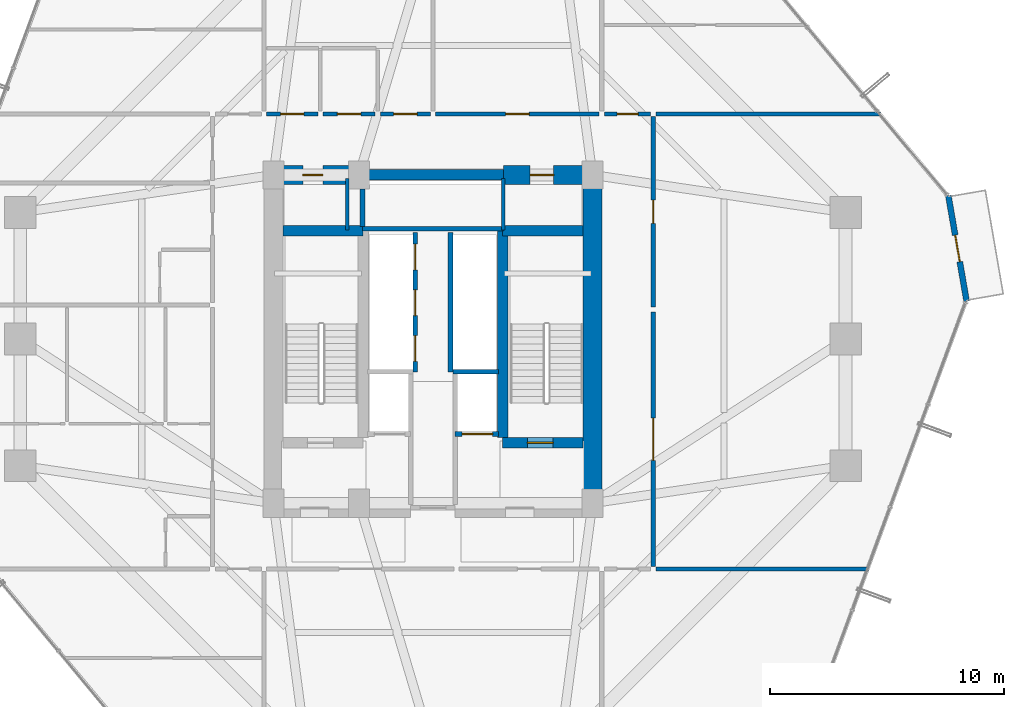
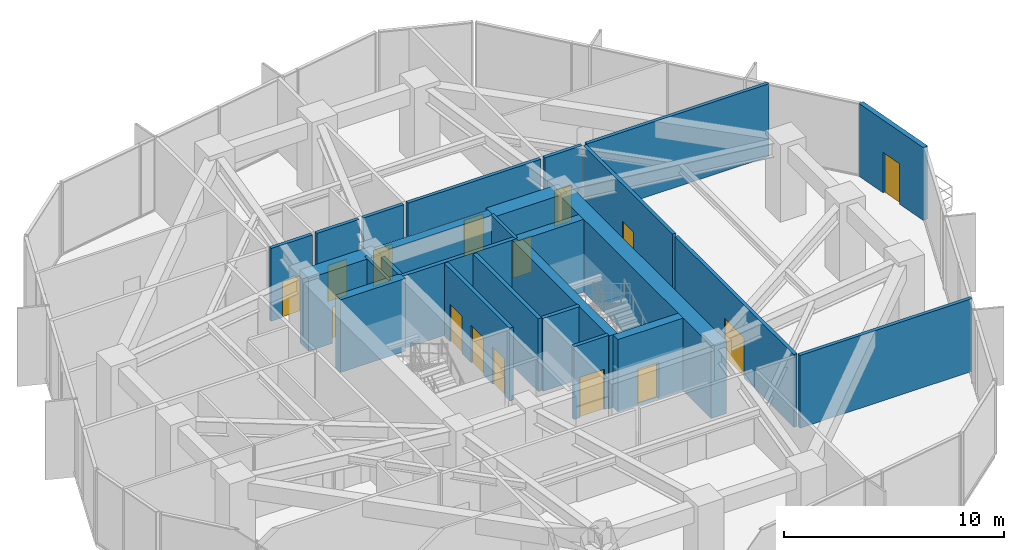
# One storey, part 32 of 35: 26 walls, 15 doors, 15 openings.
"""IFC4 building model written with IfcOpenShell, lengths in metres."""

from ifc_helpers import new_model, si_unit, direction, frame, frame_2d, origin, place, context, subcontext, project, spatial, rectangle, extrude, source, transform, mapped, material, layer, layer_set, type_object, element, fill, save


model = new_model("IFC4")

# Units and contexts
model_context = context("Model", 3, precision=1e-05, world=origin(), true_north=direction((0.0, 1.0)))
body_context = subcontext(model_context, "Body", "Model", "MODEL_VIEW")
ifc_project = project(units=[si_unit("LENGTHUNIT", "METRE"), si_unit("AREAUNIT", "SQUARE_METRE"), si_unit("VOLUMEUNIT", "CUBIC_METRE"), si_unit("PLANEANGLEUNIT", "RADIAN"), si_unit("MASSUNIT", "GRAM", prefix="KILO")], contexts=[model_context])

# Site, building, storey
site_placement = place(None, origin())
site = spatial("IfcSite", under=ifc_project, at=site_placement, CompositionType="ELEMENT")
building_placement = place(site_placement, origin())
building = spatial("IfcBuilding", under=site, at=building_placement, Name="Veraguas Prism Commons", CompositionType="ELEMENT")
storey_placement = place(building_placement, frame((0.0, 0.0, 56.550048828125)))
storey = spatial("IfcBuildingStorey", under=building, at=storey_placement, Name="L15", CompositionType="ELEMENT", Elevation=56.550048828125)

# Wall
ifc_material_1 = material(Name="Concrete C60/75", Category="concrete")
ifc_layer_1 = layer(ifc_material_1, 0.449951171875, Name="Core Internal Shear Wall Lower RC 450", Category="concrete")
ifc_layer_set_1 = layer_set([ifc_layer_1], Name="Concrete C60/75")
wall_type_1 = type_object("IfcWallType", Name="Core Internal Shear Wall Lower RC 450", PredefinedType="SHEAR", material=ifc_layer_set_1)
wall_1_placement = place(storey_placement, frame((21.0, 31.0, 0.0), z_axis=(0.0, 0.0, 1.0), x_axis=(1.0, 0.0, 0.0)))
element("IfcWall", 1, at=wall_1_placement, inside=storey, type_object=wall_type_1, Name="High-Rise Lift Bank Front Shear Wall L15", PredefinedType="SHEAR", context=body_context, shape_type="SweptSolid", body=[
    extrude(rectangle(XDim=6.0, YDim=0.449951171875, at=frame_2d((3.0, 0.0))), origin(), (0.0, 0.0, 1.0), 4.050048828125),
])

# Wall, opening, door
wall_2_placement = place(storey_placement, frame((26.97509765625, 19.574951171875, 0.0), z_axis=(0.0, 0.0, 1.0), x_axis=(1.0, 0.0, 0.0)))
wall_2 = element("IfcWall", 2, at=wall_2_placement, inside=storey, type_object=wall_type_1, Name="Stair ST-02 South Shear Wall L15", PredefinedType="SHEAR", context=body_context, shape_type="SweptSolid", body=[
    extrude(rectangle(XDim=3.4248046875, YDim=0.449951171875, at=frame_2d((1.71240234375, 0.0))), origin(), (0.0, 0.0, 1.0), 4.050048828125),
])
opening_1_placement = place(wall_2_placement, frame((1.050048828125, 0.0, 0.0)))
opening_1 = element("IfcOpeningElement", 3, at=opening_1_placement, cuts=wall_2, Name="Opening DR-05", PredefinedType="OPENING", context=body_context, shape_type="SweptSolid", body=[
    extrude(rectangle(XDim=1.10009765625, YDim=2.030029296875, at=frame_2d((0.550048828125, 1.01513671875))), frame((0.0, 0.23486328125, 0.0), z_axis=(0.0, -1.0, 0.0), x_axis=(1.0, 0.0, 0.0)), (0.0, 0.0, 1.0), 0.469970703125),
])
ifc_material_2 = material(Name="Steel fire-rated door assembly", Category="steel")
door_type_1 = type_object("IfcDoorType", Name="Protected Stair and Refuge Fire Door 1100x2030", OperationType="NOTDEFINED", PredefinedType="DOOR", material=ifc_material_2)
shared_shape_1 = source(origin(), body_context, "Body", "SweptSolid", [
    extrude(rectangle(XDim=1.10009765625, YDim=2.030029296875, at=frame_2d((0.550048828125, 1.01513671875))), frame((0.0, 0.02490234375, 0.0), z_axis=(0.0, -1.0, 0.0), x_axis=(1.0, 0.0, 0.0)), (0.0, 0.0, 1.0), 0.050048828125),
])
door_1_placement = place(opening_1_placement, origin())
door_1 = element("IfcDoor", 4, at=door_1_placement, inside=storey, type_object=door_type_1, Name="Stair ST-02 Enclosure Door L15", OperationType="SINGLE_SWING_LEFT", OverallHeight=2.030029296875, OverallWidth=1.10009765625, PredefinedType="DOOR", context=body_context, shape_type="MappedRepresentation", body=[
    mapped(shared_shape_1, transform((0.0, 0.0, 0.0), scale=1.0)),
])
fill(opening_1, door_1)

# Walls
wall_3_placement = place(storey_placement, frame((26.97509765625, 19.800048828125, 0.0), z_axis=(0.0, 0.0, 1.0), x_axis=(0.0, 1.0, 0.0)))
element("IfcWall", 5, at=wall_3_placement, inside=storey, type_object=wall_type_1, Name="Stair ST-02 Inner Shear Wall L15", PredefinedType="SHEAR", context=body_context, shape_type="SweptSolid", body=[
    extrude(rectangle(XDim=8.824951171875, YDim=0.449951171875, at=frame_2d((4.41259765625, 0.0))), origin(), (0.0, 0.0, 1.0), 4.050048828125),
])
for number, where, z_axis, x_axis, name in (
    (6, (17.60009765625, 28.625, 0.0), (0.0, 0.0, 1.0), (1.0, 0.0, 0.0), "Stair ST-01 North Shear Wall L15"),
    (7, (26.97509765625, 28.625, 0.0), (0.0, 0.0, 1.0), (1.0, 0.0, 0.0), "Stair ST-02 North Shear Wall L15"),
):
    element("IfcWall", number, at=place(storey_placement, frame(where, z_axis=z_axis, x_axis=x_axis)), inside=storey, type_object=wall_type_1, Name=name, PredefinedType="SHEAR", context=body_context, shape_type="SweptSolid", body=[
        extrude(rectangle(XDim=3.4248046875, YDim=0.449951171875, at=frame_2d((1.71240234375, 0.0))), origin(), (0.0, 0.0, 1.0), 4.050048828125),
    ])
ifc_layer_2 = layer(ifc_material_1, 0.800048828125, Name="Core Outer Shear Wall Lower RC 800", Category="concrete")
ifc_layer_set_2 = layer_set([ifc_layer_2], Name="Concrete C60/75")
wall_type_2 = type_object("IfcWallType", Name="Core Outer Shear Wall Lower RC 800", PredefinedType="SHEAR", material=ifc_layer_set_2)
wall_4_placement = place(storey_placement, frame((30.800048828125, 16.800048828125, 0.0), z_axis=(0.0, 0.0, 1.0), x_axis=(0.0, 1.0, 0.0)))
element("IfcWall", 8, at=wall_4_placement, inside=storey, type_object=wall_type_2, Name="Central Core East Shear Wall L15", PredefinedType="SHEAR", context=body_context, shape_type="SweptSolid", body=[
    extrude(rectangle(XDim=14.199951171875, YDim=0.800048828125, at=frame_2d((7.10009765625, 0.0))), origin(), (0.0, 0.0, 1.0), 4.050048828125),
])

# Wall, opening, door
wall_5_placement = place(storey_placement, frame((17.199951171875, 31.0, 0.0), z_axis=(0.0, 0.0, 1.0), x_axis=(1.0, 0.0, 0.0)))
wall_5 = element("IfcWall", 9, at=wall_5_placement, inside=storey, type_object=wall_type_2, Name="Central Core North-West Shear Wall L15", PredefinedType="SHEAR", context=body_context, shape_type="SweptSolid", body=[
    extrude(rectangle(XDim=3.800048828125, YDim=0.800048828125, at=frame_2d((1.89990234375, 0.0))), origin(), (0.0, 0.0, 1.0), 4.050048828125),
])
opening_2_placement = place(wall_5_placement, frame((1.25, 0.0, 0.0)))
opening_2 = element("IfcOpeningElement", 10, at=opening_2_placement, cuts=wall_5, Name="Opening DR-12", PredefinedType="OPENING", context=body_context, shape_type="SweptSolid", body=[
    extrude(rectangle(XDim=0.860107421875, YDim=2.010009765625, at=frame_2d((0.43017578125, 1.0048828125))), frame((0.0, 0.409912109375, 0.0), z_axis=(0.0, -1.0, 0.0), x_axis=(1.0, 0.0, 0.0)), (0.0, 0.0, 1.0), 0.820068359375),
])
door_type_2 = type_object("IfcDoorType", Name="Core WC Fire Door 860x2010", OperationType="NOTDEFINED", PredefinedType="DOOR", material=ifc_material_2)
shared_shape_2 = source(origin(), body_context, "Body", "SweptSolid", [
    extrude(rectangle(XDim=0.860107421875, YDim=2.010009765625, at=frame_2d((0.43017578125, 1.0048828125))), frame((0.0, 0.02490234375, 0.0), z_axis=(0.0, -1.0, 0.0), x_axis=(1.0, 0.0, 0.0)), (0.0, 0.0, 1.0), 0.050048828125),
])
door_2_placement = place(opening_2_placement, origin())
door_2 = element("IfcDoor", 11, at=door_2_placement, inside=storey, type_object=door_type_2, Name="Core NW Service Door L15", OperationType="SINGLE_SWING_RIGHT", OverallHeight=2.010009765625, OverallWidth=0.860107421875, PredefinedType="DOOR", context=body_context, shape_type="MappedRepresentation", body=[
    mapped(shared_shape_2, transform((0.0, 0.0, 0.0), scale=1.0)),
])
fill(opening_2, door_2)

wall_6_placement = place(storey_placement, frame((27.0, 31.0, 0.0), z_axis=(0.0, 0.0, 1.0), x_axis=(1.0, 0.0, 0.0)))
wall_6 = element("IfcWall", 12, at=wall_6_placement, inside=storey, type_object=wall_type_2, Name="Central Core North-East Shear Wall L15", PredefinedType="SHEAR", context=body_context, shape_type="SweptSolid", body=[
    extrude(rectangle(XDim=3.800048828125, YDim=0.800048828125, at=frame_2d((1.89990234375, 0.0))), origin(), (0.0, 0.0, 1.0), 4.050048828125),
])
opening_3_placement = place(wall_6_placement, frame((1.14990234375, 0.0, 0.0)))
opening_3 = element("IfcOpeningElement", 13, at=opening_3_placement, cuts=wall_6, Name="Opening DR-13", PredefinedType="OPENING", context=body_context, shape_type="SweptSolid", body=[
    extrude(rectangle(XDim=1.0, YDim=2.010009765625, at=frame_2d((0.5, 1.0048828125))), frame((0.0, 0.409912109375, 0.0), z_axis=(0.0, -1.0, 0.0), x_axis=(1.0, 0.0, 0.0)), (0.0, 0.0, 1.0), 0.820068359375),
])
door_type_3 = type_object("IfcDoorType", Name="Core Accessible WC and Clinic Fire Door 1000x2010", OperationType="NOTDEFINED", PredefinedType="DOOR", material=ifc_material_2)
shared_shape_3 = source(origin(), body_context, "Body", "SweptSolid", [
    extrude(rectangle(XDim=1.0, YDim=2.010009765625, at=frame_2d((0.5, 1.0048828125))), frame((0.0, 0.02490234375, 0.0), z_axis=(0.0, -1.0, 0.0), x_axis=(1.0, 0.0, 0.0)), (0.0, 0.0, 1.0), 0.050048828125),
])
door_3_placement = place(opening_3_placement, origin())
door_3 = element("IfcDoor", 14, at=door_3_placement, inside=storey, type_object=door_type_3, Name="Core NE Pantry Door L15", OperationType="SINGLE_SWING_LEFT", OverallHeight=2.010009765625, OverallWidth=1.0, PredefinedType="DOOR", context=body_context, shape_type="MappedRepresentation", body=[
    mapped(shared_shape_3, transform((0.0, 0.0, 0.0), scale=1.0)),
])
fill(opening_3, door_3)

ifc_material_3 = material(Name="Autoclaved aerated masonry block 10 MPa", Category="masonry")
ifc_layer_3 = layer(ifc_material_3, 0.179931640625, Name="Corridor and Inter-Tenancy Partition 180", Category="masonry")
ifc_layer_set_3 = layer_set([ifc_layer_3], Name="Autoclaved aerated masonry block 10 MPa")
wall_type_3 = type_object("IfcWallType", Name="Corridor and Inter-Tenancy Partition 180", PredefinedType="PARTITIONING", material=ifc_layer_set_3)
wall_7_placement = place(storey_placement, frame((16.909912109375, 33.60009765625, 0.0), z_axis=(0.0, 0.0, 1.0), x_axis=(1.0, 0.0, 0.0)))
wall_7 = element("IfcWall", 15, at=wall_7_placement, inside=storey, type_object=wall_type_3, Name="WL-L15-PT007", PredefinedType="PARTITIONING", context=body_context, shape_type="SweptSolid", body=[
    extrude(rectangle(XDim=2.18017578125, YDim=0.179931640625, at=frame_2d((1.090087890625, 0.0))), origin(), (0.0, 0.0, 1.0), 4.050048828125),
])
opening_4_placement = place(wall_7_placement, frame((0.590087890625, 0.0, 0.0)))
opening_4 = element("IfcOpeningElement", 16, at=opening_4_placement, cuts=wall_7, Name="Opening DR-13", PredefinedType="OPENING", context=body_context, shape_type="SweptSolid", body=[
    extrude(rectangle(XDim=1.0, YDim=2.010009765625, at=frame_2d((0.5, 1.0048828125))), frame((0.0, 0.099853515625, 0.0), z_axis=(0.0, -1.0, 0.0), x_axis=(1.0, 0.0, 0.0)), (0.0, 0.0, 1.0), 0.199951171875),
])
door_4_placement = place(opening_4_placement, origin())
door_4 = element("IfcDoor", 17, at=door_4_placement, inside=storey, type_object=door_type_3, Name="Public WC L15 Door", OperationType="SINGLE_SWING_RIGHT", OverallHeight=2.010009765625, OverallWidth=1.0, PredefinedType="DOOR", context=body_context, shape_type="MappedRepresentation", body=[
    mapped(shared_shape_3, transform((0.0, 0.0, 0.0), scale=1.0)),
])
fill(opening_4, door_4)

wall_8_placement = place(storey_placement, frame((19.31005859375, 33.60009765625, 0.0), z_axis=(0.0, 0.0, 1.0), x_axis=(1.0, 0.0, 0.0)))
wall_8 = element("IfcWall", 18, at=wall_8_placement, inside=storey, type_object=wall_type_3, Name="WL-L15-PT008", PredefinedType="PARTITIONING", context=body_context, shape_type="SweptSolid", body=[
    extrude(rectangle(XDim=2.22998046875, YDim=0.179931640625, at=frame_2d((1.114990234375, 0.0))), origin(), (0.0, 0.0, 1.0), 4.050048828125),
])
opening_5_placement = place(wall_8_placement, frame((0.614990234375, 0.0, 0.0)))
opening_5 = element("IfcOpeningElement", 19, at=opening_5_placement, cuts=wall_8, Name="Opening DR-13", PredefinedType="OPENING", context=body_context, shape_type="SweptSolid", body=[
    extrude(rectangle(XDim=1.0, YDim=2.010009765625, at=frame_2d((0.5, 1.0048828125))), frame((0.0, 0.099853515625, 0.0), z_axis=(0.0, -1.0, 0.0), x_axis=(1.0, 0.0, 0.0)), (0.0, 0.0, 1.0), 0.199951171875),
])
door_5_placement = place(opening_5_placement, origin())
door_5 = element("IfcDoor", 20, at=door_5_placement, inside=storey, type_object=door_type_3, Name="Accessible WC L15 Door", OperationType="SINGLE_SWING_LEFT", OverallHeight=2.010009765625, OverallWidth=1.0, PredefinedType="DOOR", context=body_context, shape_type="MappedRepresentation", body=[
    mapped(shared_shape_3, transform((0.0, 0.0, 0.0), scale=1.0)),
])
fill(opening_5, door_5)

wall_9_placement = place(storey_placement, frame((21.760009765625, 33.60009765625, 0.0), z_axis=(0.0, 0.0, 1.0), x_axis=(1.0, 0.0, 0.0)))
wall_9 = element("IfcWall", 21, at=wall_9_placement, inside=storey, type_object=wall_type_3, Name="WL-L15-PT009", PredefinedType="PARTITIONING", context=body_context, shape_type="SweptSolid", body=[
    extrude(rectangle(XDim=2.1298828125, YDim=0.179931640625, at=frame_2d((1.06494140625, 0.0))), origin(), (0.0, 0.0, 1.0), 4.050048828125),
])
opening_6_placement = place(wall_9_placement, frame((0.56494140625, 0.0, 0.0)))
opening_6 = element("IfcOpeningElement", 22, at=opening_6_placement, cuts=wall_9, Name="Opening DR-13", PredefinedType="OPENING", context=body_context, shape_type="SweptSolid", body=[
    extrude(rectangle(XDim=1.0, YDim=2.010009765625, at=frame_2d((0.5, 1.0048828125))), frame((0.0, 0.099853515625, 0.0), z_axis=(0.0, -1.0, 0.0), x_axis=(1.0, 0.0, 0.0)), (0.0, 0.0, 1.0), 0.199951171875),
])
door_6_placement = place(opening_6_placement, origin())
door_6 = element("IfcDoor", 23, at=door_6_placement, inside=storey, type_object=door_type_3, Name="Quiet Study L15 Door", OperationType="SINGLE_SWING_RIGHT", OverallHeight=2.010009765625, OverallWidth=1.0, PredefinedType="DOOR", context=body_context, shape_type="MappedRepresentation", body=[
    mapped(shared_shape_3, transform((0.0, 0.0, 0.0), scale=1.0)),
])
fill(opening_6, door_6)

wall_10_placement = place(storey_placement, frame((24.110107421875, 33.60009765625, 0.0), z_axis=(0.0, 0.0, 1.0), x_axis=(1.0, 0.0, 0.0)))
wall_10 = element("IfcWall", 24, at=wall_10_placement, inside=storey, type_object=wall_type_3, Name="WL-L15-PT010", PredefinedType="PARTITIONING", context=body_context, shape_type="SweptSolid", body=[
    extrude(rectangle(XDim=6.97998046875, YDim=0.179931640625, at=frame_2d((3.489990234375, 0.0))), origin(), (0.0, 0.0, 1.0), 4.050048828125),
])
opening_7_placement = place(wall_10_placement, frame((2.989990234375, 0.0, 0.0)))
opening_7 = element("IfcOpeningElement", 25, at=opening_7_placement, cuts=wall_10, Name="Opening DR-13", PredefinedType="OPENING", context=body_context, shape_type="SweptSolid", body=[
    extrude(rectangle(XDim=1.0, YDim=2.010009765625, at=frame_2d((0.5, 1.0048828125))), frame((0.0, 0.099853515625, 0.0), z_axis=(0.0, -1.0, 0.0), x_axis=(1.0, 0.0, 0.0)), (0.0, 0.0, 1.0), 0.199951171875),
])
door_7_placement = place(opening_7_placement, origin())
door_7 = element("IfcDoor", 26, at=door_7_placement, inside=storey, type_object=door_type_3, Name="Reading Lounge L15 Door", OperationType="SINGLE_SWING_LEFT", OverallHeight=2.010009765625, OverallWidth=1.0, PredefinedType="DOOR", context=body_context, shape_type="MappedRepresentation", body=[
    mapped(shared_shape_3, transform((0.0, 0.0, 0.0), scale=1.0)),
])
fill(opening_7, door_7)

# Walls
wall_11_placement = place(storey_placement, frame((33.52001953125, 14.199951171875, 0.0), z_axis=(0.0, 0.0, 1.0), x_axis=(1.0, 0.0, 0.0)))
element("IfcWall", 27, at=wall_11_placement, inside=storey, type_object=wall_type_3, Name="WL-L15-PT032", PredefinedType="PARTITIONING", context=body_context, shape_type="SweptSolid", body=[
    extrude(rectangle(XDim=9.052978515625, YDim=0.179931640625, at=frame_2d((4.5263671875, 0.0))), origin(), (0.0, 0.0, 1.0), 4.050048828125),
])
wall_12_placement = place(storey_placement, frame((33.52001953125, 33.60009765625, 0.0), z_axis=(0.0, 0.0, 1.0), x_axis=(1.0, 0.0, 0.0)))
element("IfcWall", 28, at=wall_12_placement, inside=storey, type_object=wall_type_3, Name="WL-L15-PT033", PredefinedType="PARTITIONING", context=body_context, shape_type="SweptSolid", body=[
    extrude(rectangle(XDim=9.573974609375, YDim=0.179931640625, at=frame_2d((4.787109375, 0.0))), origin(), (0.0, 0.0, 1.0), 4.050048828125),
])

# Wall, opening, door
wall_13_placement = place(storey_placement, frame((33.39990234375, 14.31005859375, 0.0), z_axis=(0.0, 0.0, 1.0), x_axis=(0.0, 1.0, 0.0)))
wall_13 = element("IfcWall", 29, at=wall_13_placement, inside=storey, type_object=wall_type_3, Name="WL-L15-PT034", PredefinedType="PARTITIONING", context=body_context, shape_type="SweptSolid", body=[
    extrude(rectangle(XDim=10.837890625, YDim=0.179931640625, at=frame_2d((5.4189453125, 0.0))), origin(), (0.0, 0.0, 1.0), 4.050048828125),
])
opening_8_placement = place(wall_13_placement, frame((4.51904296875, 0.0, 0.0)))
opening_8 = element("IfcOpeningElement", 30, at=opening_8_placement, cuts=wall_13, Name="Opening DR-07", PredefinedType="OPENING", context=body_context, shape_type="SweptSolid", body=[
    extrude(rectangle(XDim=1.800048828125, YDim=2.25, at=frame_2d((0.89990234375, 1.125))), frame((0.0, 0.099853515625, 0.0), z_axis=(0.0, -1.0, 0.0), x_axis=(1.0, 0.0, 0.0)), (0.0, 0.0, 1.0), 0.199951171875),
])
door_type_4 = type_object("IfcDoorType", Name="Corridor Double Fire Door 1800x2250", OperationType="NOTDEFINED", PredefinedType="DOOR", material=ifc_material_2)
shared_shape_4 = source(origin(), body_context, "Body", "SweptSolid", [
    extrude(rectangle(XDim=1.800048828125, YDim=2.25, at=frame_2d((0.89990234375, 1.125))), frame((0.0, 0.02490234375, 0.0), z_axis=(0.0, -1.0, 0.0), x_axis=(1.0, 0.0, 0.0)), (0.0, 0.0, 1.0), 0.050048828125),
])
door_8_placement = place(opening_8_placement, origin())
door_8 = element("IfcDoor", 31, at=door_8_placement, inside=storey, type_object=door_type_4, Name="Residents Co-op Library and Reading Hall Door 1", OperationType="SINGLE_SWING_RIGHT", OverallHeight=2.25, OverallWidth=1.800048828125, PredefinedType="DOOR", context=body_context, shape_type="MappedRepresentation", body=[
    mapped(shared_shape_4, transform((0.0, 0.0, 0.0), scale=1.0)),
])
fill(opening_8, door_8)

wall_14_placement = place(storey_placement, frame((33.39990234375, 25.367919921875, 0.0), z_axis=(0.0, 0.0, 1.0), x_axis=(0.0, 1.0, 0.0)))
wall_14 = element("IfcWall", 32, at=wall_14_placement, inside=storey, type_object=wall_type_3, Name="WL-L15-PT035", PredefinedType="PARTITIONING", context=body_context, shape_type="SweptSolid", body=[
    extrude(rectangle(XDim=8.1220703125, YDim=0.179931640625, at=frame_2d((4.06103515625, 0.0))), origin(), (0.0, 0.0, 1.0), 4.050048828125),
])
opening_9_placement = place(wall_14_placement, frame((3.56103515625, 0.0, 0.0)))
opening_9 = element("IfcOpeningElement", 33, at=opening_9_placement, cuts=wall_14, Name="Opening DR-13", PredefinedType="OPENING", context=body_context, shape_type="SweptSolid", body=[
    extrude(rectangle(XDim=1.0, YDim=2.010009765625, at=frame_2d((0.5, 1.0048828125))), frame((0.0, 0.099853515625, 0.0), z_axis=(0.0, -1.0, 0.0), x_axis=(1.0, 0.0, 0.0)), (0.0, 0.0, 1.0), 0.199951171875),
])
door_9_placement = place(opening_9_placement, origin())
door_9 = element("IfcDoor", 34, at=door_9_placement, inside=storey, type_object=door_type_3, Name="Residents Co-op Library and Reading Hall Door 2", OperationType="SINGLE_SWING_LEFT", OverallHeight=2.010009765625, OverallWidth=1.0, PredefinedType="DOOR", context=body_context, shape_type="MappedRepresentation", body=[
    mapped(shared_shape_3, transform((0.0, 0.0, 0.0), scale=1.0)),
])
fill(opening_9, door_9)

wall_15_placement = place(storey_placement, frame((31.320068359375, 33.60009765625, 0.0), z_axis=(0.0, 0.0, 1.0), x_axis=(1.0, 0.0, 0.0)))
wall_15 = element("IfcWall", 35, at=wall_15_placement, inside=storey, type_object=wall_type_3, Name="WL-L15-PT041", PredefinedType="PARTITIONING", context=body_context, shape_type="SweptSolid", body=[
    extrude(rectangle(XDim=1.9599609375, YDim=0.179931640625, at=frame_2d((0.97998046875, 0.0))), origin(), (0.0, 0.0, 1.0), 4.050048828125),
])
opening_10_placement = place(wall_15_placement, frame((0.530029296875, 0.0, 0.0)))
opening_10 = element("IfcOpeningElement", 36, at=opening_10_placement, cuts=wall_15, Name="Opening DR-14", PredefinedType="OPENING", context=body_context, shape_type="SweptSolid", body=[
    extrude(rectangle(XDim=0.89990234375, YDim=2.010009765625, at=frame_2d((0.449951171875, 1.0048828125))), frame((0.0, 0.099853515625, 0.0), z_axis=(0.0, -1.0, 0.0), x_axis=(1.0, 0.0, 0.0)), (0.0, 0.0, 1.0), 0.199951171875),
])
door_type_5 = type_object("IfcDoorType", Name="Core Service Room Fire Door 900x2010", OperationType="NOTDEFINED", PredefinedType="DOOR", material=ifc_material_2)
shared_shape_5 = source(origin(), body_context, "Body", "SweptSolid", [
    extrude(rectangle(XDim=0.89990234375, YDim=2.010009765625, at=frame_2d((0.449951171875, 1.0048828125))), frame((0.0, 0.02490234375, 0.0), z_axis=(0.0, -1.0, 0.0), x_axis=(1.0, 0.0, 0.0)), (0.0, 0.0, 1.0), 0.050048828125),
])
door_10_placement = place(opening_10_placement, origin())
door_10 = element("IfcDoor", 37, at=door_10_placement, inside=storey, type_object=door_type_5, Name="Shared Laundry Room Door", OperationType="SINGLE_SWING_LEFT", OverallHeight=2.010009765625, OverallWidth=0.89990234375, PredefinedType="DOOR", context=body_context, shape_type="MappedRepresentation", body=[
    mapped(shared_shape_5, transform((0.0, 0.0, 0.0), scale=1.0)),
])
fill(opening_10, door_10)

ifc_material_4 = material(Name="Precast concrete C40/50", Category="concrete")
ifc_layer_4 = layer(ifc_material_4, 0.25, Name="External Loggia and Portal Wall 250", Category="concrete")
ifc_layer_set_4 = layer_set([ifc_layer_4], Name="Precast concrete C40/50")
wall_type_4 = type_object("IfcWallType", Name="External Loggia and Portal Wall 250", PredefinedType="SOLIDWALL", material=ifc_layer_set_4)
wall_16_placement = place(storey_placement, frame((46.759521484375, 25.607421875, 0.0), z_axis=(0.0, 0.0, 1.0), x_axis=(-0.170205014247, 0.985408673153, 0.0)))
wall_16 = element("IfcWall", 38, at=wall_16_placement, inside=storey, type_object=wall_type_4, Name="Corner Loggia Wall L15-C1", PredefinedType="SOLIDWALL", context=body_context, shape_type="SweptSolid", body=[
    extrude(rectangle(XDim=4.580078125, YDim=0.25, at=frame_2d((2.2900390625, 0.0))), origin(), (0.0, 0.0, 1.0), 4.050048828125),
])
opening_11_placement = place(wall_16_placement, frame((1.715087890625, 0.0, 0.0)))
opening_11 = element("IfcOpeningElement", 39, at=opening_11_placement, cuts=wall_16, Name="Opening DR-10", PredefinedType="OPENING", context=body_context, shape_type="SweptSolid", body=[
    extrude(rectangle(XDim=1.14990234375, YDim=2.25, at=frame_2d((0.574951171875, 1.125))), frame((0.0, 0.135009765625, 0.0), z_axis=(0.0, -1.0, 0.0), x_axis=(1.0, 0.0, 0.0)), (0.0, 0.0, 1.0), 0.27001953125),
])
ifc_material_5 = material(Name="Anodised aluminium EN AW-6063 T6", Category="aluminium")
door_type_6 = type_object("IfcDoorType", Name="Glazed Loggia and Terrace Door 1150x2250", OperationType="NOTDEFINED", PredefinedType="DOOR", material=ifc_material_5)
shared_shape_6 = source(origin(), body_context, "Body", "SweptSolid", [
    extrude(rectangle(XDim=1.14990234375, YDim=2.25, at=frame_2d((0.574951171875, 1.125))), frame((0.0, 0.02490234375, 0.0), z_axis=(0.0, -1.0, 0.0), x_axis=(1.0, 0.0, 0.0)), (0.0, 0.0, 1.0), 0.050048828125),
])
door_11_placement = place(opening_11_placement, frame((1.14990234375, 0.0, 0.0), z_axis=(0.0, 0.0, 1.0), x_axis=(-1.0, 0.0, 0.0)))
door_11 = element("IfcDoor", 40, at=door_11_placement, inside=storey, type_object=door_type_6, Name="Recessed Loggia Door L15-C1", OperationType="SINGLE_SWING_LEFT", OverallHeight=2.25, OverallWidth=1.14990234375, PredefinedType="DOOR", context=body_context, shape_type="MappedRepresentation", body=[
    mapped(shared_shape_6, transform((0.0, 0.0, 0.0), scale=1.0)),
])
fill(opening_11, door_11)

ifc_layer_5 = layer(ifc_material_3, 0.199951171875, Name="Rated Shaft and Lobby Block Wall 200", Category="masonry")
ifc_layer_set_5 = layer_set([ifc_layer_5], Name="Autoclaved aerated masonry block 10 MPa")
wall_type_5 = type_object("IfcWallType", Name="Rated Shaft and Lobby Block Wall 200", PredefinedType="SOLIDWALL", material=ifc_layer_set_5)
wall_17_placement = place(storey_placement, frame((24.949951171875, 19.949951171875, 0.0), z_axis=(0.0, 0.0, 1.0), x_axis=(1.0, 0.0, 0.0)))
wall_17 = element("IfcWall", 41, at=wall_17_placement, inside=storey, type_object=wall_type_5, Name="Firefighting Lift FFL-2 Front Wall L15", PredefinedType="SOLIDWALL", context=body_context, shape_type="SweptSolid", body=[
    extrude(rectangle(XDim=1.85009765625, YDim=0.199951171875, at=frame_2d((0.925048828125, 0.0))), origin(), (0.0, 0.0, 1.0), 4.050048828125),
])
opening_12_placement = place(wall_17_placement, frame((0.300048828125, 0.0, 0.0)))
opening_12 = element("IfcOpeningElement", 42, at=opening_12_placement, cuts=wall_17, Name="Opening LD-02", PredefinedType="OPENING", context=body_context, shape_type="SweptSolid", body=[
    extrude(rectangle(XDim=1.300048828125, YDim=2.25, at=frame_2d((0.64990234375, 1.125))), frame((0.0, 0.10986328125, 0.0), z_axis=(0.0, -1.0, 0.0), x_axis=(1.0, 0.0, 0.0)), (0.0, 0.0, 1.0), 0.219970703125),
])
ifc_material_6 = material(Name="Stainless steel AISI 316", Category="steel")
door_type_7 = type_object("IfcDoorType", Name="Firefighting Lift Sliding Landing Door 1300x2250", OperationType="NOTDEFINED", PredefinedType="DOOR", material=ifc_material_6)
shared_shape_7 = source(origin(), body_context, "Body", "SweptSolid", [
    extrude(rectangle(XDim=1.300048828125, YDim=2.25, at=frame_2d((0.64990234375, 1.125))), frame((0.0, 0.02490234375, 0.0), z_axis=(0.0, -1.0, 0.0), x_axis=(1.0, 0.0, 0.0)), (0.0, 0.0, 1.0), 0.050048828125),
])
door_12_placement = place(opening_12_placement, origin())
door_12 = element("IfcDoor", 43, at=door_12_placement, inside=storey, type_object=door_type_7, Name="Firefighting Lift FFL-2 Front Wall L15", OperationType="SLIDING_TO_LEFT", OverallHeight=2.25, OverallWidth=1.300048828125, PredefinedType="DOOR", context=body_context, shape_type="MappedRepresentation", body=[
    mapped(shared_shape_7, transform((0.0, 0.0, 0.0), scale=1.0)),
])
fill(opening_12, door_12)

# Walls
wall_18_placement = place(storey_placement, frame((24.85009765625, 22.60009765625, 0.0), z_axis=(0.0, 0.0, 1.0), x_axis=(1.0, 0.0, 0.0)))
element("IfcWall", 44, at=wall_18_placement, inside=storey, type_object=wall_type_5, Name="Firefighting Lift FFL-2 Rear Wall L15", PredefinedType="SOLIDWALL", context=body_context, shape_type="SweptSolid", body=[
    extrude(rectangle(XDim=1.949951171875, YDim=0.199951171875, at=frame_2d((0.97509765625, 0.0))), origin(), (0.0, 0.0, 1.0), 4.050048828125),
])
wall_19_placement = place(storey_placement, frame((21.0, 28.699951171875, 0.0), z_axis=(0.0, 0.0, 1.0), x_axis=(1.0, 0.0, 0.0)))
element("IfcWall", 45, at=wall_19_placement, inside=storey, type_object=wall_type_5, Name="High-Rise Lift Bank Rear Shaft Wall L15", PredefinedType="SOLIDWALL", context=body_context, shape_type="SweptSolid", body=[
    extrude(rectangle(XDim=6.0, YDim=0.199951171875, at=frame_2d((3.0, 0.0))), origin(), (0.0, 0.0, 1.0), 4.050048828125),
])
wall_20_placement = place(storey_placement, frame((21.0, 28.800048828125, 0.0), z_axis=(0.0, 0.0, 1.0), x_axis=(0.0, 1.0, 0.0)))
element("IfcWall", 46, at=wall_20_placement, inside=storey, type_object=wall_type_5, Name="High-Rise Lift Bank West Shaft Wall L15", PredefinedType="SOLIDWALL", context=body_context, shape_type="SweptSolid", body=[
    extrude(rectangle(XDim=1.599853515625, YDim=0.199951171875, at=frame_2d((0.7998046875, 0.0))), origin(), (0.0, 0.0, 1.0), 4.050048828125),
])

# Wall, openings, doors
wall_21_placement = place(storey_placement, frame((23.25, 22.60009765625, 0.0), z_axis=(0.0, 0.0, 1.0), x_axis=(0.0, 1.0, 0.0)))
wall_21 = element("IfcWall", 47, at=wall_21_placement, inside=storey, type_object=wall_type_5, Name="Low-Rise Lift Bank Front Wall L15", PredefinedType="SOLIDWALL", context=body_context, shape_type="SweptSolid", body=[
    extrude(rectangle(XDim=5.949951171875, YDim=0.199951171875, at=frame_2d((2.97509765625, 0.0))), origin(), (0.0, 0.0, 1.0), 4.050048828125),
])
opening_13_placement = place(wall_21_placement, frame((0.449951171875, 0.0, 0.0)))
opening_13 = element("IfcOpeningElement", 48, at=opening_13_placement, cuts=wall_21, Name="Opening LD-01", PredefinedType="OPENING", context=body_context, shape_type="SweptSolid", body=[
    extrude(rectangle(XDim=1.10009765625, YDim=2.080078125, at=frame_2d((0.550048828125, 1.0400390625))), frame((0.0, 0.10986328125, 0.0), z_axis=(0.0, -1.0, 0.0), x_axis=(1.0, 0.0, 0.0)), (0.0, 0.0, 1.0), 0.219970703125),
])
opening_14_placement = place(wall_21_placement, frame((2.39990234375, 0.0, 0.0)))
opening_14 = element("IfcOpeningElement", 49, at=opening_14_placement, cuts=wall_21, Name="Opening LD-01", PredefinedType="OPENING", context=body_context, shape_type="SweptSolid", body=[
    extrude(rectangle(XDim=1.10009765625, YDim=2.080078125, at=frame_2d((0.550048828125, 1.0400390625))), frame((0.0, 0.10986328125, 0.0), z_axis=(0.0, -1.0, 0.0), x_axis=(1.0, 0.0, 0.0)), (0.0, 0.0, 1.0), 0.219970703125),
])
opening_15_placement = place(wall_21_placement, frame((4.35009765625, 0.0, 0.0)))
opening_15 = element("IfcOpeningElement", 50, at=opening_15_placement, cuts=wall_21, Name="Opening LD-01", PredefinedType="OPENING", context=body_context, shape_type="SweptSolid", body=[
    extrude(rectangle(XDim=1.10009765625, YDim=2.080078125, at=frame_2d((0.550048828125, 1.0400390625))), frame((0.0, 0.10986328125, 0.0), z_axis=(0.0, -1.0, 0.0), x_axis=(1.0, 0.0, 0.0)), (0.0, 0.0, 1.0), 0.219970703125),
])
door_type_8 = type_object("IfcDoorType", Name="Passenger Lift Sliding Landing Door 1100x2080", OperationType="NOTDEFINED", PredefinedType="DOOR", material=ifc_material_6)
shared_shape_8 = source(origin(), body_context, "Body", "SweptSolid", [
    extrude(rectangle(XDim=1.10009765625, YDim=2.080078125, at=frame_2d((0.550048828125, 1.0400390625))), frame((0.0, 0.02490234375, 0.0), z_axis=(0.0, -1.0, 0.0), x_axis=(1.0, 0.0, 0.0)), (0.0, 0.0, 1.0), 0.050048828125),
])
door_13_placement = place(opening_13_placement, origin())
door_13 = element("IfcDoor", 51, at=door_13_placement, inside=storey, type_object=door_type_8, Name="Sliding Landing Door PL-L1 L15", OperationType="SLIDING_TO_LEFT", OverallHeight=2.080078125, OverallWidth=1.10009765625, PredefinedType="DOOR", context=body_context, shape_type="MappedRepresentation", body=[
    mapped(shared_shape_8, transform((0.0, 0.0, 0.0), scale=1.0)),
])
fill(opening_13, door_13)
door_14_placement = place(opening_14_placement, origin())
door_14 = element("IfcDoor", 52, at=door_14_placement, inside=storey, type_object=door_type_8, Name="Sliding Landing Door PL-L2 L15", OperationType="SLIDING_TO_LEFT", OverallHeight=2.080078125, OverallWidth=1.10009765625, PredefinedType="DOOR", context=body_context, shape_type="MappedRepresentation", body=[
    mapped(shared_shape_8, transform((0.0, 0.0, 0.0), scale=1.0)),
])
fill(opening_14, door_14)
door_15_placement = place(opening_15_placement, origin())
door_15 = element("IfcDoor", 53, at=door_15_placement, inside=storey, type_object=door_type_8, Name="Sliding Landing Door PL-L3 L15", OperationType="SLIDING_TO_LEFT", OverallHeight=2.080078125, OverallWidth=1.10009765625, PredefinedType="DOOR", context=body_context, shape_type="MappedRepresentation", body=[
    mapped(shared_shape_8, transform((0.0, 0.0, 0.0), scale=1.0)),
])
fill(opening_15, door_15)

# Walls
wall_22_placement = place(storey_placement, frame((24.75, 22.60009765625, 0.0), z_axis=(0.0, 0.0, 1.0), x_axis=(0.0, 1.0, 0.0)))
element("IfcWall", 54, at=wall_22_placement, inside=storey, type_object=wall_type_5, Name="Mid-Rise Lift Bank Front Wall L15", PredefinedType="SOLIDWALL", context=body_context, shape_type="SweptSolid", body=[
    extrude(rectangle(XDim=5.949951171875, YDim=0.199951171875, at=frame_2d((2.97509765625, 0.0))), origin(), (0.0, 0.0, 1.0), 4.050048828125),
])
ifc_material_7 = material(Name="Lightweight acoustic gypsum board")
ifc_layer_6 = layer(ifc_material_7, 0.14990234375, Name="Wet Room and Clinic Acoustic Partition 150")
ifc_layer_set_6 = layer_set([ifc_layer_6], Name="Lightweight acoustic gypsum board")
wall_type_6 = type_object("IfcWallType", Name="Wet Room and Clinic Acoustic Partition 150", PredefinedType="PARTITIONING", material=ifc_layer_set_6)
for number, where, z_axis, x_axis, name in (
    (55, (20.35009765625, 28.64990234375, 0.0), (0.0, 0.0, 1.0), (0.0, 1.0, 0.0), "Core NW Service Inner Wall L15"),
    (56, (27.0, 28.64990234375, 0.0), (0.0, 0.0, 1.0), (0.0, 1.0, 0.0), "Core NE Service Inner Wall L15"),
):
    element("IfcWall", number, at=place(storey_placement, frame(where, z_axis=z_axis, x_axis=x_axis)), inside=storey, type_object=wall_type_6, Name=name, PredefinedType="PARTITIONING", context=body_context, shape_type="SweptSolid", body=[
        extrude(rectangle(XDim=2.2001953125, YDim=0.14990234375, at=frame_2d((1.10009765625, 0.0))), origin(), (0.0, 0.0, 1.0), 4.050048828125),
    ])

save(model, "model.ifc")
